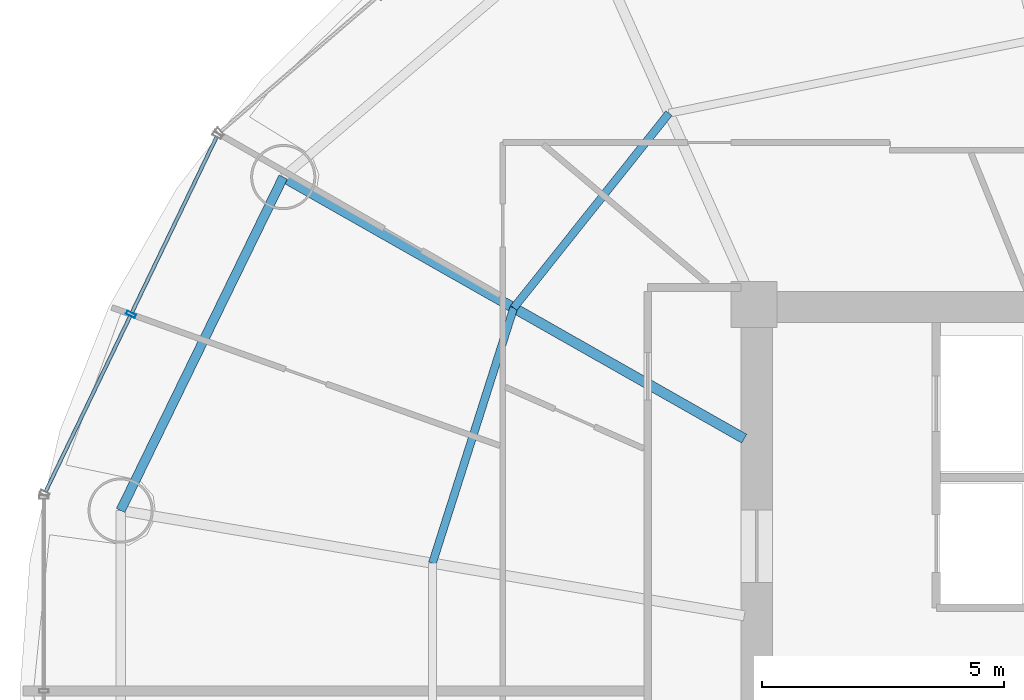
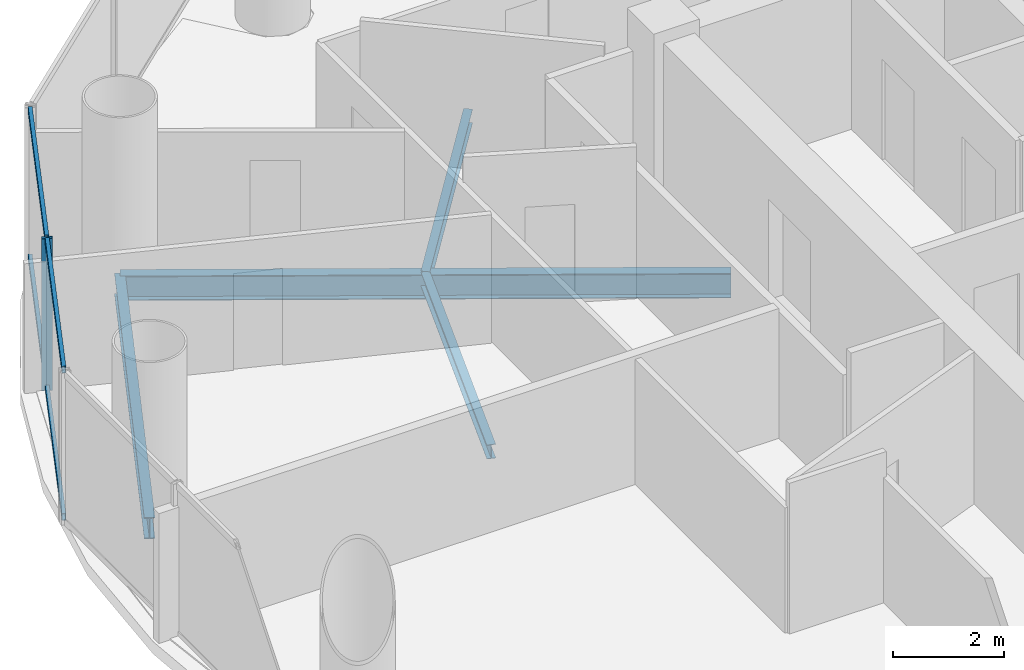
# One storey, part 8 of 26: 5 members, 4 beams, 1 element without a shape of its own.
"""IFC4 building model written with IfcOpenShell, lengths in metres."""

from ifc_helpers import new_model, si_unit, direction, frame, origin, origin_2d, place, context, subcontext, project, spatial, hollow_rectangle, i_section, extrude, source, transform, mapped, material, material_profile, profile_set, type_object, element, aggregate, save


model = new_model("IFC4")

# Units and contexts
model_context = context("Model", 3, precision=1e-05, world=origin(), true_north=direction((-0.2419218956, 0.970295726276)))
body_context = subcontext(model_context, "Body", "Model", "MODEL_VIEW")
ifc_project = project(units=[si_unit("LENGTHUNIT", "METRE"), si_unit("AREAUNIT", "SQUARE_METRE"), si_unit("VOLUMEUNIT", "CUBIC_METRE"), si_unit("PLANEANGLEUNIT", "RADIAN"), si_unit("MASSUNIT", "GRAM", prefix="KILO")], contexts=[model_context])

# Site, building, storey
site_placement = place(None, origin())
site = spatial("IfcSite", under=ifc_project, at=site_placement, CompositionType="ELEMENT")
building_placement = place(site_placement, origin())
building = spatial("IfcBuilding", under=site, at=building_placement, Name="Cobrevalo Terracotta Tower", CompositionType="ELEMENT")
storey_placement = place(building_placement, frame((0.0, 0.0, 178.60009765625)))
storey = spatial("IfcBuildingStorey", under=building, at=storey_placement, Name="L47", CompositionType="ELEMENT", Elevation=178.60009765625)

# Beams
ifc_material_1 = material(Name="Steel S355", Category="steel")
ifc_material_profile_1 = material_profile(ifc_material_1, i_section(OverallWidth=0.2109375, OverallDepth=0.5390625, WebThickness=0.01171875, FlangeThickness=0.018798828125, at=origin_2d()), Name="W 530x109")
ifc_profile_set_1 = profile_set([ifc_material_profile_1], Name="Steel S355")
beam_type_1 = type_object("IfcBeamType", Name="Structural Beam W 530x109 (Steel S355)", PredefinedType="BEAM", material=ifc_profile_set_1)
beam_1_placement = place(storey_placement, frame((19.250244140625, 37.439208984375, -0.53955078125), z_axis=(0.869734177783, -0.493520475762, 0.0), x_axis=(0.493520475762, 0.869734177783, 0.0)))
element("IfcBeam", 1, at=beam_1_placement, inside=storey, type_object=beam_type_1, Name="L47 radial floor girder 07", PredefinedType="BEAM", context=body_context, shape_type="SweptSolid", body=[
    extrude(i_section(OverallWidth=0.2109375, OverallDepth=0.5390625, WebThickness=0.01171875, FlangeThickness=0.018798828125, at=origin_2d()), origin(), (0.0, 0.0, 1.0), 10.974365234375),
])
ifc_material_profile_2 = material_profile(ifc_material_1, i_section(OverallWidth=0.1650390625, OverallDepth=0.31005859375, WebThickness=0.005859375, FlangeThickness=0.009765625, at=origin_2d()), Name="W 310x38.7")
ifc_profile_set_2 = profile_set([ifc_material_profile_2], Name="Steel S355")
beam_type_2 = type_object("IfcBeamType", Name="Structural Joist W 310x38.7 (Steel S355)", PredefinedType="JOIST", material=ifc_profile_set_2)
beam_2_placement = place(storey_placement, frame((27.23583984375, 38.76123046875, -0.425048828125), z_axis=(-0.62340602772, -0.781898282773, 0.0), x_axis=(0.781898282773, -0.62340602772, 0.0)))
element("IfcBeam", 2, at=beam_2_placement, inside=storey, type_object=beam_type_2, Name="L47 circumferential secondary floor joist 06", PredefinedType="JOIST", context=body_context, shape_type="SweptSolid", body=[
    extrude(i_section(OverallWidth=0.1650390625, OverallDepth=0.31005859375, WebThickness=0.005859375, FlangeThickness=0.009765625, at=origin_2d()), origin(), (0.0, 0.0, 1.0), 5.154052734375),
])
beam_3_placement = place(storey_placement, frame((24.022705078125, 34.731201171875, -0.425048828125), z_axis=(-0.303497928386, -0.952832098255, 0.0), x_axis=(0.952832098255, -0.303497928386, 0.0)))
element("IfcBeam", 3, at=beam_3_placement, inside=storey, type_object=beam_type_2, Name="L47 circumferential secondary floor joist 07", PredefinedType="JOIST", context=body_context, shape_type="SweptSolid", body=[
    extrude(i_section(OverallWidth=0.1650390625, OverallDepth=0.31005859375, WebThickness=0.005859375, FlangeThickness=0.009765625, at=origin_2d()), origin(), (0.0, 0.0, 1.0), 5.54736328125),
])
ifc_material_profile_3 = material_profile(ifc_material_1, i_section(OverallWidth=0.194091796875, OverallDepth=0.468994140625, WebThickness=0.011474609375, FlangeThickness=0.0205078125, at=origin_2d()), Name="W 460x106")
ifc_profile_set_3 = profile_set([ifc_material_profile_3], Name="Steel S355")
beam_type_3 = type_object("IfcBeamType", Name="Structural Spandrel W 460x106 (Steel S355)", PredefinedType="SPANDREL", material=ifc_profile_set_3)
beam_4_placement = place(storey_placement, frame((19.250244140625, 37.439208984375, -0.504638671875), z_axis=(-0.438367894028, -0.89879563277, 0.0), x_axis=(0.89879563277, -0.438367894028, 0.0)))
element("IfcBeam", 4, at=beam_4_placement, inside=storey, type_object=beam_type_3, Name="L47 perimeter ring spandrel 07", PredefinedType="SPANDREL", context=body_context, shape_type="SweptSolid", body=[
    extrude(i_section(OverallWidth=0.194091796875, OverallDepth=0.468994140625, WebThickness=0.011474609375, FlangeThickness=0.0205078125, at=origin_2d()), origin(), (0.0, 0.0, 1.0), 7.6806640625),
])

# Curtain wall, members
ifc_material_2 = material(Name="Anodized aluminium", Category="aluminium")
curtain_wall_type = type_object("IfcCurtainWallType", Name="Mid-tower high-wind unitised curtain wall CW-U2", PredefinedType="NOTDEFINED", material=ifc_material_2)
curtain_wall_placement = place(storey_placement, origin())
curtain_wall = element("IfcCurtainWall", 5, at=curtain_wall_placement, inside=storey, type_object=curtain_wall_type, Name="L47 curtain wall CW-L47-S07", PredefinedType="NOTDEFINED")
ifc_material_profile_4 = material_profile(ifc_material_2, hollow_rectangle(XDim=0.074951171875, YDim=0.14990234375, WallThickness=0.00439453125, at=origin_2d()), Name="CWT 75x150")
ifc_profile_set_4 = profile_set([ifc_material_profile_4], Name="Anodized aluminium")
member_type_1 = type_object("IfcMemberType", Name="Tower unitised aluminium transom 75x150", PredefinedType="USERDEFINED", material=ifc_profile_set_4)
shared_shape_1 = source(origin(), body_context, "Body", "SweptSolid", [
    extrude(hollow_rectangle(XDim=0.074951171875, YDim=0.14990234375, WallThickness=0.00439453125, at=origin_2d()), origin(), (0.0, 0.0, 1.0), 4.035888671875),
])
member_1_placement = place(storey_placement, frame((17.86865234375, 38.26708984375, 0.0498046875), z_axis=(-0.434221176581, -0.900806288726, 0.0), x_axis=(0.900806288726, -0.434221176581, 0.0)))
member_1 = element("IfcMember", 6, at=member_1_placement, type_object=member_type_1, Name="CW-L47-S07 transom B01-T1", ObjectType="TRANSOM", PredefinedType="USERDEFINED", context=body_context, shape_type="MappedRepresentation", body=[
    mapped(shared_shape_1, transform((0.0, 0.0, 0.0), scale=1.0)),
])
member_2_placement = place(storey_placement, frame((17.86865234375, 38.26708984375, 3.27978515625), z_axis=(-0.434221176581, -0.900806288726, 0.0), x_axis=(0.900806288726, -0.434221176581, 0.0)))
member_2 = element("IfcMember", 7, at=member_2_placement, type_object=member_type_1, Name="CW-L47-S07 transom B01-T2", ObjectType="TRANSOM", PredefinedType="USERDEFINED", context=body_context, shape_type="MappedRepresentation", body=[
    mapped(shared_shape_1, transform((0.0, 0.0, 0.0), scale=1.0)),
])
member_3_placement = place(storey_placement, frame((16.08154296875, 34.5595703125, 0.0498046875), z_axis=(-0.434221176581, -0.900806288726, 0.0), x_axis=(0.900806288726, -0.434221176581, 0.0)))
member_3 = element("IfcMember", 8, at=member_3_placement, type_object=member_type_1, Name="CW-L47-S07 transom B02-T1", ObjectType="TRANSOM", PredefinedType="USERDEFINED", context=body_context, shape_type="MappedRepresentation", body=[
    mapped(shared_shape_1, transform((0.0, 0.0, 0.0), scale=1.0)),
])
member_4_placement = place(storey_placement, frame((16.08154296875, 34.5595703125, 3.27978515625), z_axis=(-0.434221176581, -0.900806288726, 0.0), x_axis=(0.900806288726, -0.434221176581, 0.0)))
member_4 = element("IfcMember", 9, at=member_4_placement, type_object=member_type_1, Name="CW-L47-S07 transom B02-T2", ObjectType="TRANSOM", PredefinedType="USERDEFINED", context=body_context, shape_type="MappedRepresentation", body=[
    mapped(shared_shape_1, transform((0.0, 0.0, 0.0), scale=1.0)),
])
ifc_material_profile_5 = material_profile(ifc_material_2, hollow_rectangle(XDim=0.074951171875, YDim=0.199951171875, WallThickness=0.0048828125, at=origin_2d()), Name="CWM 75x200")
ifc_profile_set_5 = profile_set([ifc_material_profile_5], Name="Anodized aluminium")
member_type_2 = type_object("IfcMemberType", Name="Lower/mid tower unitised mullion 75x200", PredefinedType="MULLION", material=ifc_profile_set_5)
shared_shape_2 = source(origin(), body_context, "Body", "SweptSolid", [
    extrude(hollow_rectangle(XDim=0.074951171875, YDim=0.199951171875, WallThickness=0.0048828125, at=origin_2d()), origin(), (0.0, 0.0, 1.0), 3.329833984375),
])
member_5_placement = place(storey_placement, frame((16.098876953125, 34.595703125, 0.0), z_axis=(0.0, 0.0, 1.0), x_axis=(-0.434209440271, -0.900811945957, 0.0)))
member_5 = element("IfcMember", 10, at=member_5_placement, type_object=member_type_2, Name="CW-L47-S07 vertical mullion 02", PredefinedType="MULLION", context=body_context, shape_type="MappedRepresentation", body=[
    mapped(shared_shape_2, transform((0.0, 0.0, 0.0), scale=1.0)),
])
aggregate(curtain_wall, [member_5, member_1, member_2, member_3, member_4])

save(model, "model.ifc")
